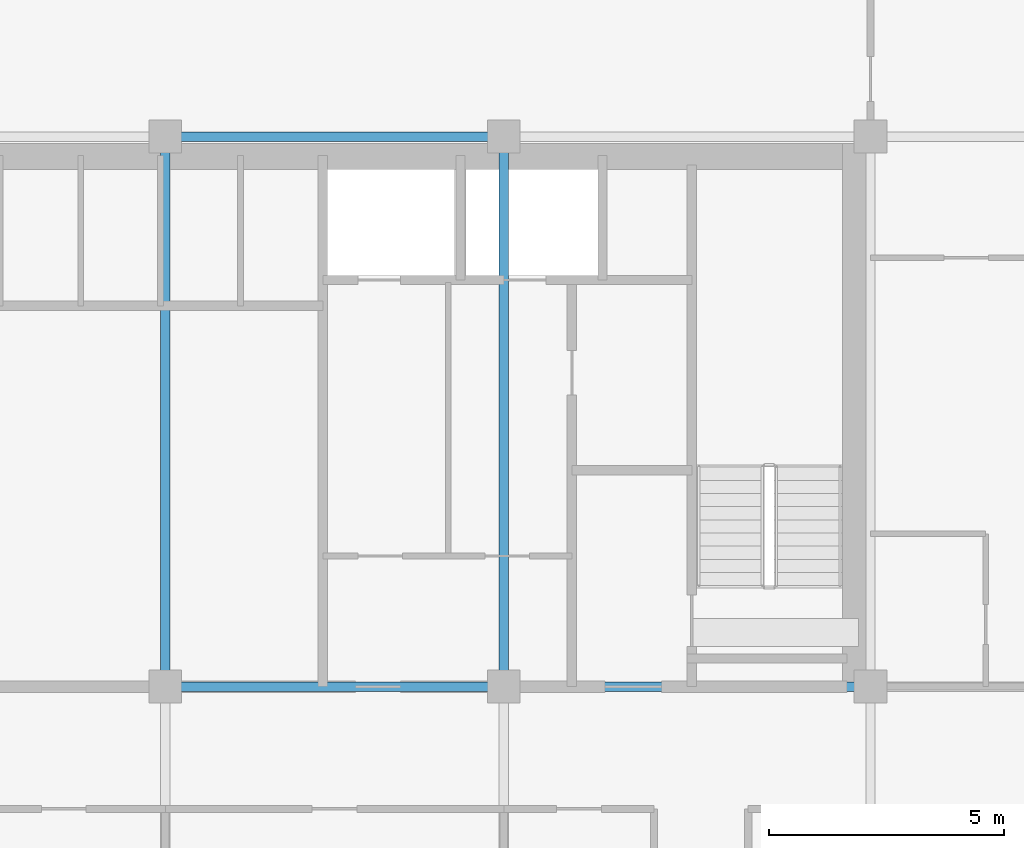
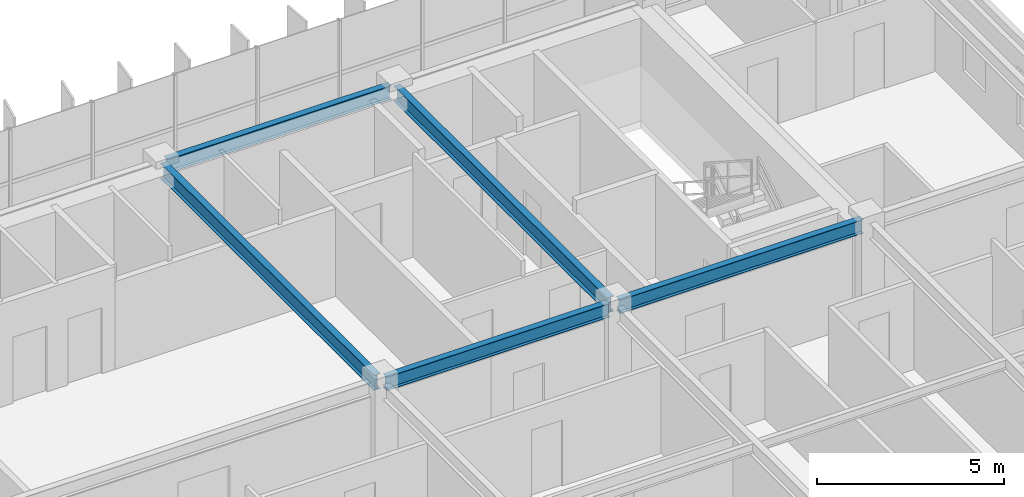
# One storey, part 10 of 23: 5 beams.
"""IFC4 building model written with IfcOpenShell, lengths in metres."""

import ifcopenshell
import ifcopenshell.guid

model = None  # the IFC model being written
_history = None  # IfcOwnerHistory: only IFC2X3 demands one
_inside = {}  # id of a spatial element -> (the spatial element, [elements in it])
_under = {}  # id of a project, library or spatial element -> (it, [spatial elements below it])
_declared = {}  # id of a project -> (the project, [libraries it declares])
_typed = {}  # id of a type object -> (the type object, [elements of that type])
_made_of = {}  # id of a material, layer set ... -> (it, [elements and type objects made of it])


def new_model(schema):
    """Start an empty IFC model of exactly this schema.

    Asked for "IFC4X3", IfcOpenShell would pick the latest addendum, in which some entities
    have other attributes; the version numbers below select the first issue.
    IFC2X3 requires an IfcOwnerHistory on every rooted entity: one is made here for all.
    """
    global model, _history
    if schema == "IFC4X3":
        model = ifcopenshell.file(schema_version=(4, 3, 0, 0))
    else:
        model = ifcopenshell.file(schema=schema)
    _inside.clear()
    _under.clear()
    _declared.clear()
    _typed.clear()
    _made_of.clear()
    _history = None
    if model.schema == "IFC2X3":
        org = make("IfcOrganization", Name="unknown")
        user = make(
            "IfcPersonAndOrganization",
            ThePerson=make("IfcPerson", FamilyName="unknown"),
            TheOrganization=org,
        )
        app = make(
            "IfcApplication",
            ApplicationDeveloper=org,
            Version="unknown",
            ApplicationFullName="unknown",
            ApplicationIdentifier="unknown",
        )
        _history = make(
            "IfcOwnerHistory",
            OwningUser=user,
            OwningApplication=app,
            ChangeAction="ADDED",
            CreationDate=0,
        )
    return model


def make(cls, **values):
    """One entity of the class cls with the attributes given. An attribute that is None is left unset."""
    return model.create_entity(
        cls, **{name: value for name, value in values.items() if value is not None}
    )


def rooted(cls, **values):
    """An entity with a GlobalId (a new one), such as an element, a storey or a relation."""
    return make(cls, GlobalId=ifcopenshell.guid.new(), OwnerHistory=_history, **values)


def si_unit(unit_type, name, prefix=None):
    """IfcSIUnit, for example si_unit("LENGTHUNIT", "METRE", prefix="MILLI")."""
    return make("IfcSIUnit", UnitType=unit_type, Prefix=prefix, Name=name)


def assignment(units):
    """IfcUnitAssignment: the units of a project."""
    return None if units is None else make("IfcUnitAssignment", Units=units)


def point(xyz):
    """IfcCartesianPoint."""
    return None if xyz is None else make("IfcCartesianPoint", Coordinates=xyz)


def direction(xyz):
    """IfcDirection."""
    return None if xyz is None else make("IfcDirection", DirectionRatios=xyz)


def frame(location, z_axis=None, x_axis=None):
    """IfcAxis2Placement3D, a coordinate frame: its origin and axes. An axis left out is left unset."""
    return make(
        "IfcAxis2Placement3D",
        Location=point(location),
        Axis=direction(z_axis),
        RefDirection=direction(x_axis),
    )


def frame_2d(location, x_axis=None):
    """IfcAxis2Placement2D, a coordinate frame in the plane: its origin and x axis."""
    return make(
        "IfcAxis2Placement2D", Location=point(location), RefDirection=direction(x_axis)
    )


def origin():
    """The frame at (0, 0, 0) with its axes left unset."""
    return frame((0.0, 0.0, 0.0))


def origin_2d():
    """The frame at (0, 0) in the plane with its x axis left unset."""
    return frame_2d((0.0, 0.0))


def place(relative_to, where):
    """IfcLocalPlacement: puts the frame where relative to a parent placement (None: the world)."""
    return make(
        "IfcLocalPlacement", PlacementRelTo=relative_to, RelativePlacement=where
    )


def context(
    kind, dimensions, precision=None, world=None, true_north=None, identifier=None
):
    """IfcGeometricRepresentationContext, for example the 3D "Model" context."""
    return make(
        "IfcGeometricRepresentationContext",
        ContextIdentifier=identifier,
        ContextType=kind,
        CoordinateSpaceDimension=dimensions,
        Precision=precision,
        WorldCoordinateSystem=world,
        TrueNorth=true_north,
    )


def subcontext(parent, identifier, kind, view, scale=None):
    """IfcGeometricRepresentationSubContext, for example "Body" below "Model"."""
    return make(
        "IfcGeometricRepresentationSubContext",
        ContextIdentifier=identifier,
        ContextType=kind,
        ParentContext=parent,
        TargetScale=scale,
        TargetView=view,
    )


def project(units=None, contexts=None):
    """IfcProject with its units and contexts."""
    return rooted(
        "IfcProject",
        Name="project",
        RepresentationContexts=contexts,
        UnitsInContext=assignment(units),
    )


def spatial(cls, under=None, at=None, **own):
    """A site, building, storey or space (cls), placed at a placement, below another one or the project."""
    s = rooted(cls, ObjectPlacement=at, **own)
    if under is not None:
        _under.setdefault(under.id(), (under, []))[1].append(s)
    return s


def profile(cls, at=None, kind="AREA", **sizes):
    """A parametric profile (cls). Its sizes go by their IFC names, for example OverallWidth=200.0."""
    return make(cls, ProfileType=kind, Position=at, **sizes)


def i_section(**sizes):
    """IfcIShapeProfileDef."""
    return profile("IfcIShapeProfileDef", **sizes)


def extrude(swept, where, along, depth):
    """IfcExtrudedAreaSolid: the profile swept, set in the frame where, extruded along a direction by depth."""
    return make(
        "IfcExtrudedAreaSolid",
        SweptArea=swept,
        Position=where,
        ExtrudedDirection=direction(along),
        Depth=depth,
    )


def shape(context_of_items, identifier, shape_type, items):
    """IfcShapeRepresentation: the items that make up one representation, for example the "Body"."""
    return make(
        "IfcShapeRepresentation",
        ContextOfItems=context_of_items,
        RepresentationIdentifier=identifier,
        RepresentationType=shape_type,
        Items=items,
    )


def source(mapping_origin, context_of_items, identifier, shape_type, items):
    """IfcRepresentationMap: a shape defined once, which mapped items show again and again."""
    return make(
        "IfcRepresentationMap",
        MappingOrigin=mapping_origin,
        MappedRepresentation=shape(context_of_items, identifier, shape_type, items),
    )


def transform(
    local_origin,
    x_axis=None,
    y_axis=None,
    z_axis=None,
    scale=None,
    scale2=None,
    scale3=None,
    uniform=True,
):
    """IfcCartesianTransformationOperator3D, or its non-uniform kind. x_axis, y_axis, z_axis: its Axis1, 2, 3."""
    if uniform:
        return make(
            "IfcCartesianTransformationOperator3D",
            Axis1=direction(x_axis),
            Axis2=direction(y_axis),
            LocalOrigin=point(local_origin),
            Scale=scale,
            Axis3=direction(z_axis),
        )
    return make(
        "IfcCartesianTransformationOperator3DnonUniform",
        Axis1=direction(x_axis),
        Axis2=direction(y_axis),
        LocalOrigin=point(local_origin),
        Scale=scale,
        Axis3=direction(z_axis),
        Scale2=scale2,
        Scale3=scale3,
    )


def mapped(mapping_source, mapping_target):
    """IfcMappedItem: shows the shape of a source again, moved by a transform."""
    return make(
        "IfcMappedItem", MappingSource=mapping_source, MappingTarget=mapping_target
    )


def material(Name=None, Category=None):
    """IfcMaterial."""
    return make("IfcMaterial", Name=Name, Category=Category)


def material_profile(
    of_material, cross_section, Name=None, Category=None, Priority=None
):
    """IfcMaterialProfile: a cross section and its material."""
    return make(
        "IfcMaterialProfile",
        Name=Name,
        Material=of_material,
        Profile=cross_section,
        Priority=Priority,
        Category=Category,
    )


def profile_set(profiles, Name=None, composite=None):
    """IfcMaterialProfileSet."""
    return make(
        "IfcMaterialProfileSet",
        Name=Name,
        MaterialProfiles=profiles,
        CompositeProfile=composite,
    )


def made_of(thing, what):
    """Note that an element or type object is made of a material, layer set ...; save() writes the relation."""
    if what is not None:
        _made_of.setdefault(what.id(), (what, []))[1].append(thing)
    return thing


def type_object(cls, material=None, **own):
    """A type object (cls), such as IfcWallType, which elements share."""
    return made_of(rooted(cls, **own), material)


def element(
    cls,
    number,
    at=None,
    inside=None,
    cuts=None,
    type_object=None,
    material=None,
    context=None,
    identifier="Body",
    shape_type=None,
    held_by="IfcProductDefinitionShape",
    body=None,
    shapes=None,
    **own,
):
    """One element of the class cls, such as IfcWall. Its Tag is "e" and its number.

    at: its placement. inside: the storey or other place that contains it. cuts: it is an
    opening in that element (IfcRelVoidsElement). A single representation is given by context,
    identifier, shape_type and body (its items); several are given by shapes. held_by: the class
    of the entity that holds the representations. save() writes the other relations.
    """
    e = rooted(cls, Tag="e%d" % number, ObjectPlacement=at, **own)
    if body is not None:
        shapes = [shape(context, identifier, shape_type, body)]
    if shapes is not None:
        e.Representation = make(held_by, Representations=shapes)
    if inside is not None:
        _inside.setdefault(inside.id(), (inside, []))[1].append(e)
    if cuts is not None:
        rooted(
            "IfcRelVoidsElement", RelatingBuildingElement=cuts, RelatedOpeningElement=e
        )
    if type_object is not None:
        _typed.setdefault(type_object.id(), (type_object, []))[1].append(e)
    return made_of(e, material)


def aggregate(whole, parts):
    """IfcRelAggregates: a whole, such as a stair, and the parts it consists of."""
    return rooted("IfcRelAggregates", RelatingObject=whole, RelatedObjects=parts)


def save(model, path):
    """Write the relations noted so far, then the file.

    IfcRelAggregates (storeys below a building ...), IfcRelContainedInSpatialStructure (elements
    in a storey), IfcRelDefinesByType, IfcRelAssociatesMaterial and IfcRelDeclares: one each for
    every whole, place, type object, material and project.
    """
    for whole, parts in _under.values():
        aggregate(whole, parts)
    for where, things in _inside.values():
        rooted(
            "IfcRelContainedInSpatialStructure",
            RelatedElements=things,
            RelatingStructure=where,
        )
    for kind, things in _typed.values():
        rooted("IfcRelDefinesByType", RelatedObjects=things, RelatingType=kind)
    for what, things in _made_of.values():
        rooted("IfcRelAssociatesMaterial", RelatedObjects=things, RelatingMaterial=what)
    for by, libraries in _declared.values():
        rooted("IfcRelDeclares", RelatingContext=by, RelatedDefinitions=libraries)
    model.write(path)


model = new_model("IFC4")

# Units and contexts
model_context = context("Model", 3, precision=1e-05, world=origin(), true_north=direction((0.0, 1.0)))
body_context = subcontext(model_context, "Body", "Model", "MODEL_VIEW")
ifc_project = project(units=[si_unit("LENGTHUNIT", "METRE"), si_unit("AREAUNIT", "SQUARE_METRE"), si_unit("VOLUMEUNIT", "CUBIC_METRE"), si_unit("PLANEANGLEUNIT", "RADIAN"), si_unit("MASSUNIT", "GRAM", prefix="KILO")], contexts=[model_context])

# Site, building, storey
site_placement = place(None, origin())
site = spatial("IfcSite", under=ifc_project, at=site_placement, CompositionType="ELEMENT")
building_placement = place(site_placement, origin())
building = spatial("IfcBuilding", under=site, at=building_placement, Name="Trelvane Seafront Commons", CompositionType="ELEMENT")
storey_placement = place(building_placement, frame((0.0, 0.0, 208.5)))
storey = spatial("IfcBuildingStorey", under=building, at=storey_placement, Name="L54", CompositionType="ELEMENT", Elevation=208.5)

# Beams
ifc_material = material(Name="Steel SM355 (S355)", Category="steel")
ifc_material_profile_1 = material_profile(ifc_material, i_section(OverallWidth=0.199951171875, OverallDepth=0.5, WebThickness=0.010009765625, FlangeThickness=0.01611328125, at=origin_2d()), Name="H-500x200x10x16")
ifc_profile_set_1 = profile_set([ifc_material_profile_1], Name="Steel SM355 (S355)")
beam_type_1 = type_object("IfcBeamType", Name="STR-BM-H500", PredefinedType="BEAM", material=ifc_profile_set_1)
shared_shape_1 = source(origin(), body_context, "Body", "SweptSolid", [
    extrude(i_section(OverallWidth=0.199951171875, OverallDepth=0.5, WebThickness=0.010009765625, FlangeThickness=0.01611328125, at=origin_2d()), origin(), (0.0, 0.0, 1.0), 11.39990234375),
])
for number, where, z_axis, x_axis, name in (
    (1, (43.800048828125, 33.550048828125, 3.110107421875), (0.0, 1.0, 0.0), (-1.0, 0.0, 0.0), "L54 Primary Girder G-43"),
    (2, (51.0, 33.550048828125, 3.110107421875), (0.0, 1.0, 0.0), (-1.0, 0.0, 0.0), "L54 Primary Girder G-46"),
):
    element("IfcBeam", number, at=place(storey_placement, frame(where, z_axis=z_axis, x_axis=x_axis)), inside=storey, type_object=beam_type_1, Name=name, PredefinedType="BEAM", context=body_context, shape_type="MappedRepresentation", body=[
        mapped(shared_shape_1, transform((0.0, 0.0, 0.0), x_axis=(1.0, 0.0, 0.0), y_axis=(0.0, 1.0, 0.0), z_axis=(0.0, 0.0, 1.0), scale=1.0)),
    ])
ifc_material_profile_2 = material_profile(ifc_material, i_section(OverallWidth=0.199951171875, OverallDepth=0.449951171875, WebThickness=0.009033203125, FlangeThickness=0.013916015625, at=origin_2d()), Name="H-450x200x9x14")
ifc_profile_set_2 = profile_set([ifc_material_profile_2], Name="Steel SM355 (S355)")
beam_type_2 = type_object("IfcBeamType", Name="STR-SPD-H450", PredefinedType="SPANDREL", material=ifc_profile_set_2)
shared_shape_2 = source(origin(), body_context, "Body", "SweptSolid", [
    extrude(i_section(OverallWidth=0.199951171875, OverallDepth=0.449951171875, WebThickness=0.009033203125, FlangeThickness=0.013916015625, at=origin_2d()), origin(), (0.0, 0.0, 1.0), 7.5),
])
beam_placement = place(storey_placement, frame((51.14990234375, 33.39990234375, 3.135009765625), z_axis=(1.0, 0.0, 0.0), x_axis=(0.0, 1.0, 0.0)))
element("IfcBeam", 3, at=beam_placement, inside=storey, type_object=beam_type_2, Name="L54 Primary Girder G-20", PredefinedType="SPANDREL", context=body_context, shape_type="MappedRepresentation", body=[
    mapped(shared_shape_2, transform((0.0, 0.0, 0.0), x_axis=(1.0, 0.0, 0.0), y_axis=(0.0, 1.0, 0.0), z_axis=(0.0, 0.0, 1.0), scale=1.0)),
])
shared_shape_3 = source(origin(), body_context, "Body", "SweptSolid", [
    extrude(i_section(OverallWidth=0.199951171875, OverallDepth=0.449951171875, WebThickness=0.009033203125, FlangeThickness=0.013916015625, at=origin_2d()), origin(), (0.0, 0.0, 1.0), 6.900146484375),
])
for number, where, z_axis, x_axis, name in (
    (4, (43.949951171875, 33.39990234375, 3.135009765625), (1.0, 0.0, 0.0), (0.0, 1.0, 0.0), "L54 Primary Girder G-19"),
    (5, (43.949951171875, 45.10009765625, 3.135009765625), (1.0, 0.0, 0.0), (0.0, 1.0, 0.0), "L54 Primary Girder G-26"),
):
    element("IfcBeam", number, at=place(storey_placement, frame(where, z_axis=z_axis, x_axis=x_axis)), inside=storey, type_object=beam_type_2, Name=name, PredefinedType="SPANDREL", context=body_context, shape_type="MappedRepresentation", body=[
        mapped(shared_shape_3, transform((0.0, 0.0, 0.0), x_axis=(1.0, 0.0, 0.0), y_axis=(0.0, 1.0, 0.0), z_axis=(0.0, 0.0, 1.0), scale=1.0)),
    ])

save(model, "model.ifc")
